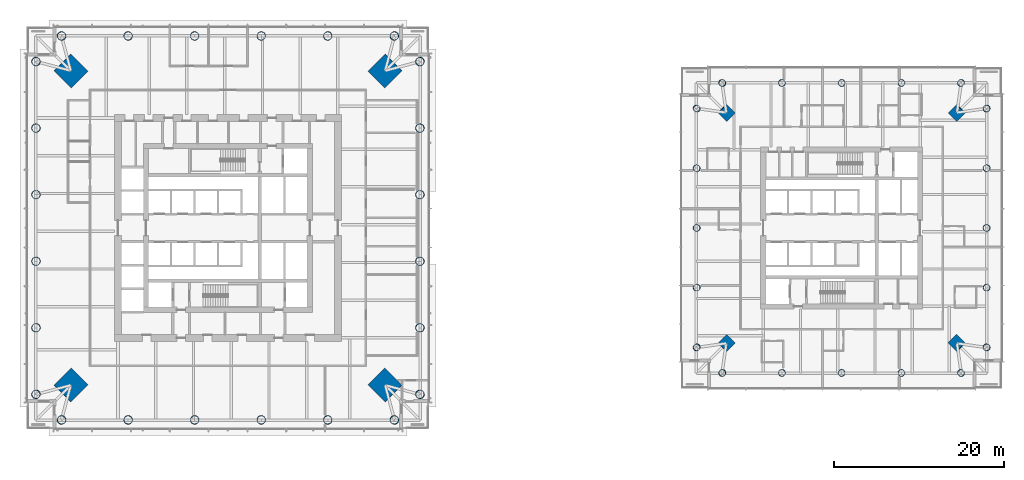
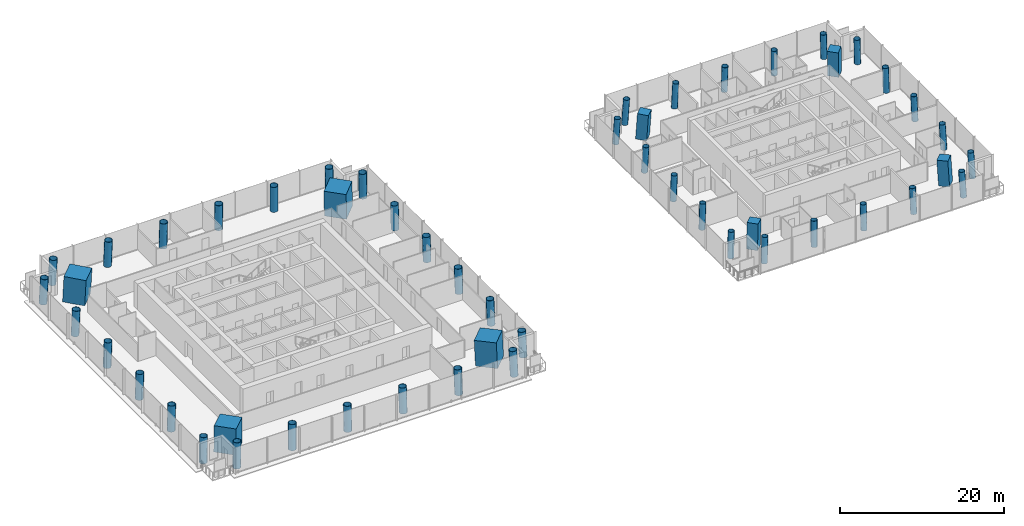
# One storey, part 1 of 26: 52 columns.
"""IFC4 building model written with IfcOpenShell, lengths in metres."""

from ifc_helpers import new_model, si_unit, direction, frame, origin, origin_2d, place, context, subcontext, project, spatial, rectangle, hollow_circle, extrude, material, material_profile, profile_set, type_object, element, save


model = new_model("IFC4")

# Units and contexts
model_context = context("Model", 3, precision=1e-05, world=origin(), true_north=direction((0.0, 1.0)))
body_context = subcontext(model_context, "Body", "Model", "MODEL_VIEW")
ifc_project = project(units=[si_unit("LENGTHUNIT", "METRE"), si_unit("AREAUNIT", "SQUARE_METRE"), si_unit("VOLUMEUNIT", "CUBIC_METRE"), si_unit("PLANEANGLEUNIT", "RADIAN"), si_unit("MASSUNIT", "GRAM", prefix="KILO")], contexts=[model_context])

# Site, building, storey
site_placement = place(None, origin())
site = spatial("IfcSite", under=ifc_project, at=site_placement, CompositionType="ELEMENT")
building_placement = place(site_placement, origin())
building = spatial("IfcBuilding", under=site, at=building_placement, Name="Ostroluk Exchange", CompositionType="ELEMENT")
storey_placement = place(building_placement, frame((0.0, 0.0, 66.60009765625)))
storey = spatial("IfcBuildingStorey", under=building, at=storey_placement, Name="L16", CompositionType="ELEMENT", Elevation=66.60009765625)

# Columns
ifc_material_1 = material(Name="Concrete C50/60", Category="concrete")
ifc_material_profile_1 = material_profile(ifc_material_1, rectangle(XDim=1.39990234375, YDim=1.39990234375, at=origin_2d()), Name="RC 1400x1400")
ifc_profile_set_1 = profile_set([ifc_material_profile_1], Name="Concrete C50/60")
column_type_1 = type_object("IfcColumnType", Name="Mega column RC 1400x1400", PredefinedType="COLUMN", material=ifc_profile_set_1)
for number, where, z_axis, x_axis, name in (
    (1, (130.534423828125, 59.534423828125, 0.0), (-0.043032401563, -0.043032401563, 0.998146494675), (0.707106781187, -0.707106781187, 0.0), "T2 mega column NE"),
    (2, (103.465576171875, 59.534423828125, 0.0), (0.043032401563, -0.043032401563, 0.998146494675), (0.707106781187, 0.707106781187, 0.0), "T2 mega column NW"),
    (3, (103.465576171875, 32.465576171875, 0.0), (0.043032401563, 0.043032401563, 0.998146494675), (-0.707106781187, 0.707106781187, 0.0), "T2 mega column SW"),
    (4, (130.534423828125, 32.465576171875, 0.0), (-0.043032401563, 0.043032401563, 0.998146494675), (-0.707106781187, -0.707106781187, 0.0), "T2 mega column SE"),
):
    element("IfcColumn", number, at=place(storey_placement, frame(where, z_axis=z_axis, x_axis=x_axis)), inside=storey, type_object=column_type_1, Name=name, PredefinedType="COLUMN", context=body_context, shape_type="SweptSolid", body=[
        extrude(rectangle(XDim=1.39990234375, YDim=1.39990234375, at=origin_2d()), origin(), (0.0, 0.0, 1.0), 3.806884765625),
    ])
ifc_material_2 = material(Name="Concrete C50/60", Category="concrete")
ifc_material_profile_2 = material_profile(ifc_material_2, rectangle(XDim=2.800048828125, YDim=2.800048828125, at=origin_2d()), Name="RC 2800x2800")
ifc_profile_set_2 = profile_set([ifc_material_profile_2], Name="Concrete C50/60")
column_type_2 = type_object("IfcColumnType", Name="Mega column RC 2800x2800", PredefinedType="COLUMN", material=ifc_profile_set_2)
for number, where, z_axis, x_axis, name in (
    (5, (63.44287109375, 64.44287109375, 0.0), (-0.031900153262, -0.031900153262, 0.998981861919), (0.707106781187, -0.707106781187, 0.0), "T1 mega column NE"),
    (6, (26.55712890625, 64.44287109375, 0.0), (0.031900153262, -0.031900153262, 0.998981861919), (0.707106781187, 0.707106781187, 0.0), "T1 mega column NW"),
    (7, (26.55712890625, 27.55712890625, 0.0), (0.031900153262, 0.031900153262, 0.998981861919), (-0.707106781187, 0.707106781187, 0.0), "T1 mega column SW"),
    (8, (63.44287109375, 27.55712890625, 0.0), (-0.031900153262, 0.031900153262, 0.998981861919), (-0.707106781187, -0.707106781187, 0.0), "T1 mega column SE"),
):
    element("IfcColumn", number, at=place(storey_placement, frame(where, z_axis=z_axis, x_axis=x_axis)), inside=storey, type_object=column_type_2, Name=name, PredefinedType="COLUMN", context=body_context, shape_type="SweptSolid", body=[
        extrude(rectangle(XDim=2.800048828125, YDim=2.800048828125, at=origin_2d()), origin(), (0.0, 0.0, 1.0), 3.8037109375),
    ])
ifc_material_3 = material(Name="Steel S460", Category="steel")
ifc_material_profile_3 = material_profile(ifc_material_3, hollow_circle(Radius=0.508056640625, WallThickness=0.0400390625, at=origin_2d()), Name="CHS 1016x40")
ifc_profile_set_3 = profile_set([ifc_material_profile_3], Name="Steel S460")
column_type_3 = type_object("IfcColumnType", Name="Perimeter column CHS 1016x40", PredefinedType="COLUMN", material=ifc_profile_set_3)
for number, where, z_axis, x_axis, name in (
    (9, (67.54296875, 26.45703125, 0.0), (-0.031964207655, 0.031964207655, 0.998977766949), (-0.707106781187, -0.707106781187, 0.0), "T1 east face column E0"),
    (10, (67.54296875, 65.54296875, 0.0), (-0.031964207655, -0.031964207655, 0.998977766949), (0.707106781187, -0.707106781187, 0.0), "T1 east face column E1"),
):
    element("IfcColumn", number, at=place(storey_placement, frame(where, z_axis=z_axis, x_axis=x_axis)), inside=storey, type_object=column_type_3, Name=name, PredefinedType="COLUMN", context=body_context, shape_type="SweptSolid", body=[
        extrude(hollow_circle(Radius=0.508056640625, WallThickness=0.0400390625, at=origin_2d()), origin(), (0.0, 0.0, 1.0), 3.8037109375),
    ])
column_1_placement = place(storey_placement, frame((67.54296875, 34.274169921875, 0.0), z_axis=(-0.031974655517, 0.019197634537, 0.999304294113), x_axis=(-0.514748904804, -0.857340985258, 0.0)))
element("IfcColumn", 11, at=column_1_placement, inside=storey, type_object=column_type_3, Name="T1 east face column I1", PredefinedType="COLUMN", context=body_context, shape_type="SweptSolid", body=[
    extrude(hollow_circle(Radius=0.508056640625, WallThickness=0.0400390625, at=origin_2d()), origin(), (0.0, 0.0, 1.0), 3.802490234375),
])
for number, where, z_axis, x_axis, name in (
    (12, (67.54296875, 42.09130859375, 0.0), (-0.031979889852, 0.006421664629, 0.99946788286), (-0.196873281596, -0.980428942348, 0.0), "T1 east face column I2"),
    (13, (67.54296875, 49.90869140625, 0.0), (-0.031979889852, -0.006421664629, 0.99946788286), (0.196873281596, -0.980428942348, 0.0), "T1 east face column I3"),
):
    element("IfcColumn", number, at=place(storey_placement, frame(where, z_axis=z_axis, x_axis=x_axis)), inside=storey, type_object=column_type_3, Name=name, PredefinedType="COLUMN", context=body_context, shape_type="SweptSolid", body=[
        extrude(hollow_circle(Radius=0.508056640625, WallThickness=0.0400390625, at=origin_2d()), origin(), (0.0, 0.0, 1.0), 3.8017578125),
    ])
column_2_placement = place(storey_placement, frame((67.54296875, 57.725830078125, 0.0), z_axis=(-0.031974655517, -0.019197634537, 0.999304294113), x_axis=(0.514748904804, -0.857340985258, 0.0)))
element("IfcColumn", 14, at=column_2_placement, inside=storey, type_object=column_type_3, Name="T1 east face column I4", PredefinedType="COLUMN", context=body_context, shape_type="SweptSolid", body=[
    extrude(hollow_circle(Radius=0.508056640625, WallThickness=0.0400390625, at=origin_2d()), origin(), (0.0, 0.0, 1.0), 3.802490234375),
])
for number, where, z_axis, x_axis, name in (
    (15, (64.54296875, 68.54296875, 0.0), (-0.031964207655, -0.031964207655, 0.998977766949), (0.707106781187, -0.707106781187, 0.0), "T1 north face column E0"),
    (16, (25.45703125, 68.54296875, 0.0), (0.031964207655, -0.031964207655, 0.998977766949), (0.707106781187, 0.707106781187, 0.0), "T1 north face column E1"),
):
    element("IfcColumn", number, at=place(storey_placement, frame(where, z_axis=z_axis, x_axis=x_axis)), inside=storey, type_object=column_type_3, Name=name, PredefinedType="COLUMN", context=body_context, shape_type="SweptSolid", body=[
        extrude(hollow_circle(Radius=0.508056640625, WallThickness=0.0400390625, at=origin_2d()), origin(), (0.0, 0.0, 1.0), 3.8037109375),
    ])
column_3_placement = place(storey_placement, frame((56.725830078125, 68.54296875, 0.0), z_axis=(-0.019197634537, -0.031974655517, 0.999304294113), x_axis=(0.857340985258, -0.514748904804, 0.0)))
element("IfcColumn", 17, at=column_3_placement, inside=storey, type_object=column_type_3, Name="T1 north face column I1", PredefinedType="COLUMN", context=body_context, shape_type="SweptSolid", body=[
    extrude(hollow_circle(Radius=0.508056640625, WallThickness=0.0400390625, at=origin_2d()), origin(), (0.0, 0.0, 1.0), 3.802490234375),
])
for number, where, z_axis, x_axis, name in (
    (18, (48.90869140625, 68.54296875, 0.0), (-0.006421664629, -0.031979889852, 0.99946788286), (0.980428942348, -0.196873281596, 0.0), "T1 north face column I2"),
    (19, (41.09130859375, 68.54296875, 0.0), (0.006421664629, -0.031979889852, 0.99946788286), (0.980428942348, 0.196873281596, 0.0), "T1 north face column I3"),
):
    element("IfcColumn", number, at=place(storey_placement, frame(where, z_axis=z_axis, x_axis=x_axis)), inside=storey, type_object=column_type_3, Name=name, PredefinedType="COLUMN", context=body_context, shape_type="SweptSolid", body=[
        extrude(hollow_circle(Radius=0.508056640625, WallThickness=0.0400390625, at=origin_2d()), origin(), (0.0, 0.0, 1.0), 3.8017578125),
    ])
column_4_placement = place(storey_placement, frame((33.274169921875, 68.54296875, 0.0), z_axis=(0.019197634537, -0.031974655517, 0.999304294113), x_axis=(0.857340985258, 0.514748904804, 0.0)))
element("IfcColumn", 20, at=column_4_placement, inside=storey, type_object=column_type_3, Name="T1 north face column I4", PredefinedType="COLUMN", context=body_context, shape_type="SweptSolid", body=[
    extrude(hollow_circle(Radius=0.508056640625, WallThickness=0.0400390625, at=origin_2d()), origin(), (0.0, 0.0, 1.0), 3.802490234375),
])
for number, where, z_axis, x_axis, name in (
    (21, (22.45703125, 65.54296875, 0.0), (0.031964207655, -0.031964207655, 0.998977766949), (0.707106781187, 0.707106781187, 0.0), "T1 west face column E0"),
    (22, (22.45703125, 26.45703125, 0.0), (0.031964207655, 0.031964207655, 0.998977766949), (-0.707106781187, 0.707106781187, 0.0), "T1 west face column E1"),
):
    element("IfcColumn", number, at=place(storey_placement, frame(where, z_axis=z_axis, x_axis=x_axis)), inside=storey, type_object=column_type_3, Name=name, PredefinedType="COLUMN", context=body_context, shape_type="SweptSolid", body=[
        extrude(hollow_circle(Radius=0.508056640625, WallThickness=0.0400390625, at=origin_2d()), origin(), (0.0, 0.0, 1.0), 3.8037109375),
    ])
column_5_placement = place(storey_placement, frame((22.45703125, 57.725830078125, 0.0), z_axis=(0.031974655517, -0.019197634537, 0.999304294113), x_axis=(0.514748904804, 0.857340985258, 0.0)))
element("IfcColumn", 23, at=column_5_placement, inside=storey, type_object=column_type_3, Name="T1 west face column I1", PredefinedType="COLUMN", context=body_context, shape_type="SweptSolid", body=[
    extrude(hollow_circle(Radius=0.508056640625, WallThickness=0.0400390625, at=origin_2d()), origin(), (0.0, 0.0, 1.0), 3.802490234375),
])
for number, where, z_axis, x_axis, name in (
    (24, (22.45703125, 49.90869140625, 0.0), (0.031979889852, -0.006421664629, 0.99946788286), (0.196873281596, 0.980428942348, 0.0), "T1 west face column I2"),
    (25, (22.45703125, 42.09130859375, 0.0), (0.031979889852, 0.006421664629, 0.99946788286), (-0.196873281596, 0.980428942348, 0.0), "T1 west face column I3"),
):
    element("IfcColumn", number, at=place(storey_placement, frame(where, z_axis=z_axis, x_axis=x_axis)), inside=storey, type_object=column_type_3, Name=name, PredefinedType="COLUMN", context=body_context, shape_type="SweptSolid", body=[
        extrude(hollow_circle(Radius=0.508056640625, WallThickness=0.0400390625, at=origin_2d()), origin(), (0.0, 0.0, 1.0), 3.8017578125),
    ])
column_6_placement = place(storey_placement, frame((22.45703125, 34.274169921875, 0.0), z_axis=(0.031974655517, 0.019197634537, 0.999304294113), x_axis=(-0.514748904804, 0.857340985258, 0.0)))
element("IfcColumn", 26, at=column_6_placement, inside=storey, type_object=column_type_3, Name="T1 west face column I4", PredefinedType="COLUMN", context=body_context, shape_type="SweptSolid", body=[
    extrude(hollow_circle(Radius=0.508056640625, WallThickness=0.0400390625, at=origin_2d()), origin(), (0.0, 0.0, 1.0), 3.802490234375),
])
for number, where, z_axis, x_axis, name in (
    (27, (25.45703125, 23.45703125, 0.0), (0.031964207655, 0.031964207655, 0.998977766949), (-0.707106781187, 0.707106781187, 0.0), "T1 south face column E0"),
    (28, (64.54296875, 23.45703125, 0.0), (-0.031964207655, 0.031964207655, 0.998977766949), (-0.707106781187, -0.707106781187, 0.0), "T1 south face column E1"),
):
    element("IfcColumn", number, at=place(storey_placement, frame(where, z_axis=z_axis, x_axis=x_axis)), inside=storey, type_object=column_type_3, Name=name, PredefinedType="COLUMN", context=body_context, shape_type="SweptSolid", body=[
        extrude(hollow_circle(Radius=0.508056640625, WallThickness=0.0400390625, at=origin_2d()), origin(), (0.0, 0.0, 1.0), 3.8037109375),
    ])
column_7_placement = place(storey_placement, frame((33.274169921875, 23.45703125, 0.0), z_axis=(0.019197634537, 0.031974655517, 0.999304294113), x_axis=(-0.857340985258, 0.514748904804, 0.0)))
element("IfcColumn", 29, at=column_7_placement, inside=storey, type_object=column_type_3, Name="T1 south face column I1", PredefinedType="COLUMN", context=body_context, shape_type="SweptSolid", body=[
    extrude(hollow_circle(Radius=0.508056640625, WallThickness=0.0400390625, at=origin_2d()), origin(), (0.0, 0.0, 1.0), 3.802490234375),
])
for number, where, z_axis, x_axis, name in (
    (30, (41.09130859375, 23.45703125, 0.0), (0.006421664629, 0.031979889852, 0.99946788286), (-0.980428942348, 0.196873281596, 0.0), "T1 south face column I2"),
    (31, (48.90869140625, 23.45703125, 0.0), (-0.006421664629, 0.031979889852, 0.99946788286), (-0.980428942348, -0.196873281596, 0.0), "T1 south face column I3"),
):
    element("IfcColumn", number, at=place(storey_placement, frame(where, z_axis=z_axis, x_axis=x_axis)), inside=storey, type_object=column_type_3, Name=name, PredefinedType="COLUMN", context=body_context, shape_type="SweptSolid", body=[
        extrude(hollow_circle(Radius=0.508056640625, WallThickness=0.0400390625, at=origin_2d()), origin(), (0.0, 0.0, 1.0), 3.8017578125),
    ])
column_8_placement = place(storey_placement, frame((56.725830078125, 23.45703125, 0.0), z_axis=(-0.019197634537, 0.031974655517, 0.999304294113), x_axis=(-0.857340985258, -0.514748904804, 0.0)))
element("IfcColumn", 32, at=column_8_placement, inside=storey, type_object=column_type_3, Name="T1 south face column I4", PredefinedType="COLUMN", context=body_context, shape_type="SweptSolid", body=[
    extrude(hollow_circle(Radius=0.508056640625, WallThickness=0.0400390625, at=origin_2d()), origin(), (0.0, 0.0, 1.0), 3.802490234375),
])
ifc_material_4 = material(Name="Steel S460", Category="steel")
ifc_material_profile_4 = material_profile(ifc_material_4, hollow_circle(Radius=0.406494140625, WallThickness=0.030029296875, at=origin_2d()), Name="CHS 813x30")
ifc_profile_set_4 = profile_set([ifc_material_profile_4], Name="Steel S460")
column_type_4 = type_object("IfcColumnType", Name="Perimeter column CHS 813x30", PredefinedType="COLUMN", material=ifc_profile_set_4)
for number, where, z_axis, x_axis, name in (
    (33, (134.034423828125, 31.965576171875, 0.0), (-0.043032401563, 0.043032401563, 0.998146494675), (-0.707106781187, -0.707106781187, 0.0), "T2 east face column E0"),
    (34, (134.034423828125, 60.034423828125, 0.0), (-0.043032401563, -0.043032401563, 0.998146494675), (0.707106781187, -0.707106781187, 0.0), "T2 east face column E1"),
):
    element("IfcColumn", number, at=place(storey_placement, frame(where, z_axis=z_axis, x_axis=x_axis)), inside=storey, type_object=column_type_4, Name=name, PredefinedType="COLUMN", context=body_context, shape_type="SweptSolid", body=[
        extrude(hollow_circle(Radius=0.406494140625, WallThickness=0.030029296875, at=origin_2d()), origin(), (0.0, 0.0, 1.0), 3.806884765625),
    ])
column_9_placement = place(storey_placement, frame((134.034423828125, 38.982666015625, 0.0), z_axis=(-0.043062285527, 0.021563230905, 0.998839660125), x_axis=(-0.44774654769, -0.894160516368, 0.0)))
element("IfcColumn", 35, at=column_9_placement, inside=storey, type_object=column_type_4, Name="T2 east face column I1", PredefinedType="COLUMN", context=body_context, shape_type="SweptSolid", body=[
    extrude(hollow_circle(Radius=0.406494140625, WallThickness=0.030029296875, at=origin_2d()), origin(), (0.0, 0.0, 1.0), 3.80419921875),
])
column_10_placement = place(storey_placement, frame((134.034423828125, 46.0, 0.0), z_axis=(-0.043072300418, 0.0, 0.999071957837), x_axis=(0.0, -1.0, 0.0)))
element("IfcColumn", 36, at=column_10_placement, inside=storey, type_object=column_type_4, Name="T2 east face column I2", PredefinedType="COLUMN", context=body_context, shape_type="SweptSolid", body=[
    extrude(hollow_circle(Radius=0.406494140625, WallThickness=0.030029296875, at=origin_2d()), origin(), (0.0, 0.0, 1.0), 3.80322265625),
])
column_11_placement = place(storey_placement, frame((134.034423828125, 53.017333984375, 0.0), z_axis=(-0.043062285527, -0.021563230905, 0.998839660125), x_axis=(0.44774654769, -0.894160516368, 0.0)))
element("IfcColumn", 37, at=column_11_placement, inside=storey, type_object=column_type_4, Name="T2 east face column I3", PredefinedType="COLUMN", context=body_context, shape_type="SweptSolid", body=[
    extrude(hollow_circle(Radius=0.406494140625, WallThickness=0.030029296875, at=origin_2d()), origin(), (0.0, 0.0, 1.0), 3.80419921875),
])
for number, where, z_axis, x_axis, name in (
    (38, (131.034423828125, 63.034423828125, 0.0), (-0.043032401563, -0.043032401563, 0.998146494675), (0.707106781187, -0.707106781187, 0.0), "T2 north face column E0"),
    (39, (102.965576171875, 63.034423828125, 0.0), (0.043032401563, -0.043032401563, 0.998146494675), (0.707106781187, 0.707106781187, 0.0), "T2 north face column E1"),
):
    element("IfcColumn", number, at=place(storey_placement, frame(where, z_axis=z_axis, x_axis=x_axis)), inside=storey, type_object=column_type_4, Name=name, PredefinedType="COLUMN", context=body_context, shape_type="SweptSolid", body=[
        extrude(hollow_circle(Radius=0.406494140625, WallThickness=0.030029296875, at=origin_2d()), origin(), (0.0, 0.0, 1.0), 3.806884765625),
    ])
column_12_placement = place(storey_placement, frame((124.017333984375, 63.034423828125, 0.0), z_axis=(-0.021563230905, -0.043062285527, 0.998839660125), x_axis=(0.894160516368, -0.44774654769, 0.0)))
element("IfcColumn", 40, at=column_12_placement, inside=storey, type_object=column_type_4, Name="T2 north face column I1", PredefinedType="COLUMN", context=body_context, shape_type="SweptSolid", body=[
    extrude(hollow_circle(Radius=0.406494140625, WallThickness=0.030029296875, at=origin_2d()), origin(), (0.0, 0.0, 1.0), 3.80419921875),
])
column_13_placement = place(storey_placement, frame((117.0, 63.034423828125, 0.0), z_axis=(0.0, -0.043072300418, 0.999071957837), x_axis=(1.0, 0.0, 0.0)))
element("IfcColumn", 41, at=column_13_placement, inside=storey, type_object=column_type_4, Name="T2 north face column I2", PredefinedType="COLUMN", context=body_context, shape_type="SweptSolid", body=[
    extrude(hollow_circle(Radius=0.406494140625, WallThickness=0.030029296875, at=origin_2d()), origin(), (0.0, 0.0, 1.0), 3.80322265625),
])
column_14_placement = place(storey_placement, frame((109.982666015625, 63.034423828125, 0.0), z_axis=(0.021563230905, -0.043062285527, 0.998839660125), x_axis=(0.894160516368, 0.44774654769, 0.0)))
element("IfcColumn", 42, at=column_14_placement, inside=storey, type_object=column_type_4, Name="T2 north face column I3", PredefinedType="COLUMN", context=body_context, shape_type="SweptSolid", body=[
    extrude(hollow_circle(Radius=0.406494140625, WallThickness=0.030029296875, at=origin_2d()), origin(), (0.0, 0.0, 1.0), 3.80419921875),
])
for number, where, z_axis, x_axis, name in (
    (43, (99.965576171875, 60.034423828125, 0.0), (0.043032401563, -0.043032401563, 0.998146494675), (0.707106781187, 0.707106781187, 0.0), "T2 west face column E0"),
    (44, (99.965576171875, 31.965576171875, 0.0), (0.043032401563, 0.043032401563, 0.998146494675), (-0.707106781187, 0.707106781187, 0.0), "T2 west face column E1"),
):
    element("IfcColumn", number, at=place(storey_placement, frame(where, z_axis=z_axis, x_axis=x_axis)), inside=storey, type_object=column_type_4, Name=name, PredefinedType="COLUMN", context=body_context, shape_type="SweptSolid", body=[
        extrude(hollow_circle(Radius=0.406494140625, WallThickness=0.030029296875, at=origin_2d()), origin(), (0.0, 0.0, 1.0), 3.806884765625),
    ])
column_15_placement = place(storey_placement, frame((99.965576171875, 53.017333984375, 0.0), z_axis=(0.043062285527, -0.021563230905, 0.998839660125), x_axis=(0.44774654769, 0.894160516368, 0.0)))
element("IfcColumn", 45, at=column_15_placement, inside=storey, type_object=column_type_4, Name="T2 west face column I1", PredefinedType="COLUMN", context=body_context, shape_type="SweptSolid", body=[
    extrude(hollow_circle(Radius=0.406494140625, WallThickness=0.030029296875, at=origin_2d()), origin(), (0.0, 0.0, 1.0), 3.80419921875),
])
column_16_placement = place(storey_placement, frame((99.965576171875, 46.0, 0.0), z_axis=(0.043072300418, 0.0, 0.999071957837), x_axis=(0.0, 1.0, 0.0)))
element("IfcColumn", 46, at=column_16_placement, inside=storey, type_object=column_type_4, Name="T2 west face column I2", PredefinedType="COLUMN", context=body_context, shape_type="SweptSolid", body=[
    extrude(hollow_circle(Radius=0.406494140625, WallThickness=0.030029296875, at=origin_2d()), origin(), (0.0, 0.0, 1.0), 3.80322265625),
])
column_17_placement = place(storey_placement, frame((99.965576171875, 38.982666015625, 0.0), z_axis=(0.043062285527, 0.021563230905, 0.998839660125), x_axis=(-0.44774654769, 0.894160516368, 0.0)))
element("IfcColumn", 47, at=column_17_placement, inside=storey, type_object=column_type_4, Name="T2 west face column I3", PredefinedType="COLUMN", context=body_context, shape_type="SweptSolid", body=[
    extrude(hollow_circle(Radius=0.406494140625, WallThickness=0.030029296875, at=origin_2d()), origin(), (0.0, 0.0, 1.0), 3.80419921875),
])
for number, where, z_axis, x_axis, name in (
    (48, (102.965576171875, 28.965576171875, 0.0), (0.043032401563, 0.043032401563, 0.998146494675), (-0.707106781187, 0.707106781187, 0.0), "T2 south face column E0"),
    (49, (131.034423828125, 28.965576171875, 0.0), (-0.043032401563, 0.043032401563, 0.998146494675), (-0.707106781187, -0.707106781187, 0.0), "T2 south face column E1"),
):
    element("IfcColumn", number, at=place(storey_placement, frame(where, z_axis=z_axis, x_axis=x_axis)), inside=storey, type_object=column_type_4, Name=name, PredefinedType="COLUMN", context=body_context, shape_type="SweptSolid", body=[
        extrude(hollow_circle(Radius=0.406494140625, WallThickness=0.030029296875, at=origin_2d()), origin(), (0.0, 0.0, 1.0), 3.806884765625),
    ])
column_18_placement = place(storey_placement, frame((109.982666015625, 28.965576171875, 0.0), z_axis=(0.021563230905, 0.043062285527, 0.998839660125), x_axis=(-0.894160516368, 0.44774654769, 0.0)))
element("IfcColumn", 50, at=column_18_placement, inside=storey, type_object=column_type_4, Name="T2 south face column I1", PredefinedType="COLUMN", context=body_context, shape_type="SweptSolid", body=[
    extrude(hollow_circle(Radius=0.406494140625, WallThickness=0.030029296875, at=origin_2d()), origin(), (0.0, 0.0, 1.0), 3.80419921875),
])
column_19_placement = place(storey_placement, frame((117.0, 28.965576171875, 0.0), z_axis=(0.0, 0.043072300418, 0.999071957837), x_axis=(-1.0, 0.0, 0.0)))
element("IfcColumn", 51, at=column_19_placement, inside=storey, type_object=column_type_4, Name="T2 south face column I2", PredefinedType="COLUMN", context=body_context, shape_type="SweptSolid", body=[
    extrude(hollow_circle(Radius=0.406494140625, WallThickness=0.030029296875, at=origin_2d()), origin(), (0.0, 0.0, 1.0), 3.80322265625),
])
column_20_placement = place(storey_placement, frame((124.017333984375, 28.965576171875, 0.0), z_axis=(-0.021563230905, 0.043062285527, 0.998839660125), x_axis=(-0.894160516368, -0.44774654769, 0.0)))
element("IfcColumn", 52, at=column_20_placement, inside=storey, type_object=column_type_4, Name="T2 south face column I3", PredefinedType="COLUMN", context=body_context, shape_type="SweptSolid", body=[
    extrude(hollow_circle(Radius=0.406494140625, WallThickness=0.030029296875, at=origin_2d()), origin(), (0.0, 0.0, 1.0), 3.80419921875),
])

save(model, "model.ifc")
